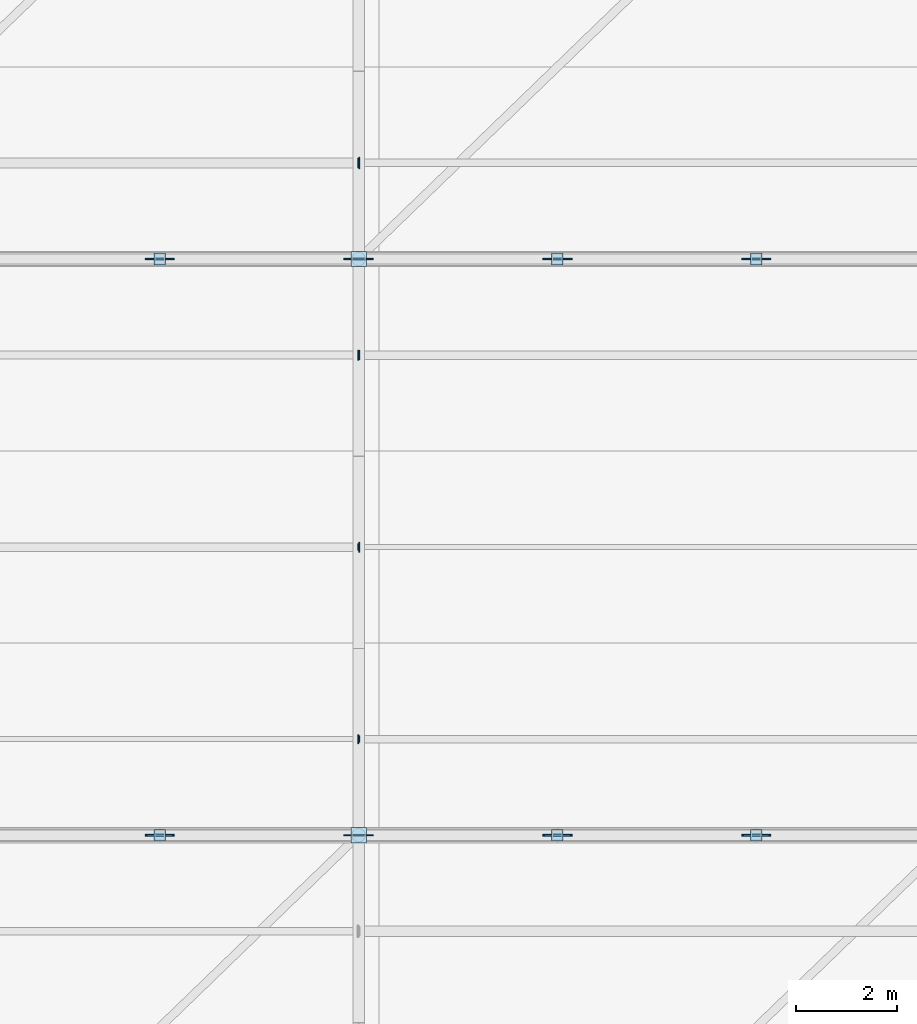
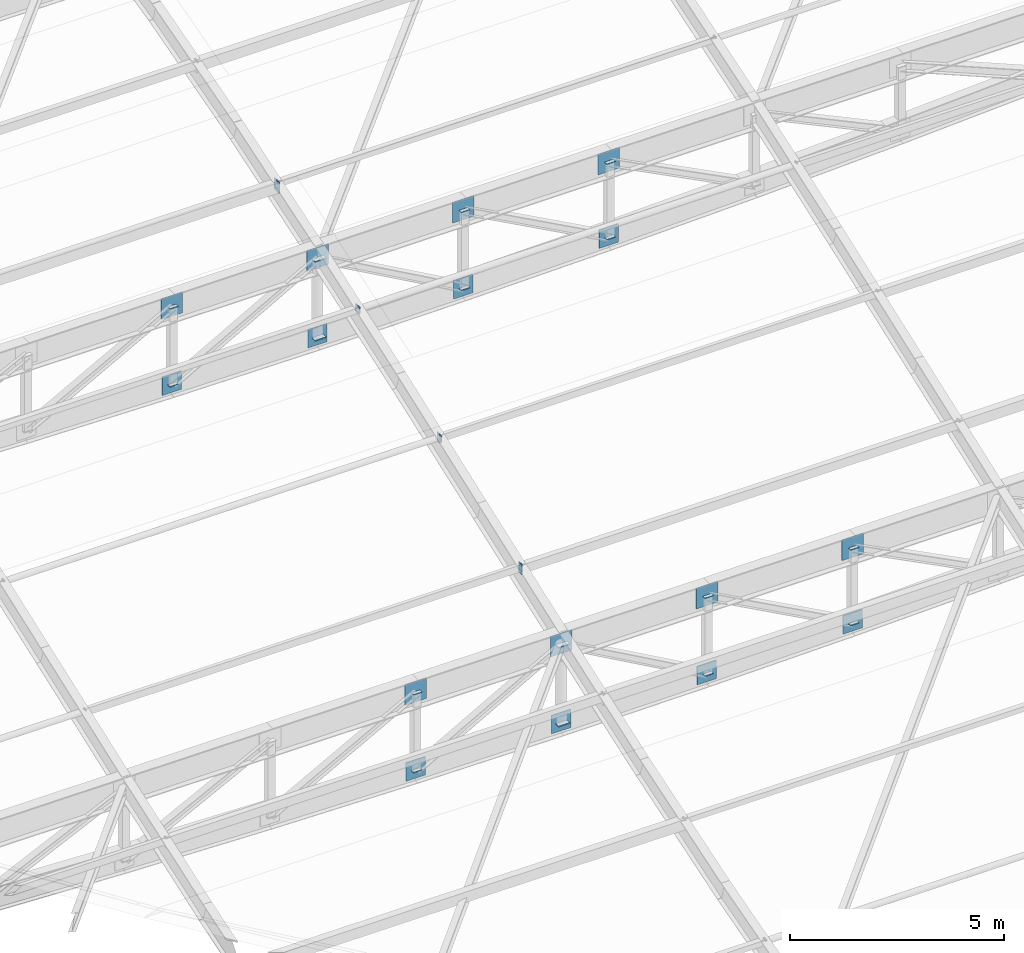
# One storey, part 55 of 65: 40 plates.
"""IFC4 building model written with IfcOpenShell, lengths in metres."""

from ifc_helpers import new_model, si_unit, direction, frame, origin, origin_2d, place, context, subcontext, project, spatial, rectangle, extrude, material, layer, layer_set, type_object, element, save


model = new_model("IFC4")

# Units and contexts
model_context = context("Model", 3, precision=1e-05, world=origin(), true_north=direction((0.0, 1.0)))
body_context = subcontext(model_context, "Body", "Model", "MODEL_VIEW")
ifc_project = project(units=[si_unit("LENGTHUNIT", "METRE"), si_unit("AREAUNIT", "SQUARE_METRE"), si_unit("VOLUMEUNIT", "CUBIC_METRE"), si_unit("PLANEANGLEUNIT", "RADIAN"), si_unit("MASSUNIT", "GRAM", prefix="KILO"), si_unit("POWERUNIT", "WATT"), si_unit("THERMODYNAMICTEMPERATUREUNIT", "KELVIN")], contexts=[model_context])

# Site, building, storey
site_placement = place(None, origin())
site = spatial("IfcSite", under=ifc_project, at=site_placement, CompositionType="ELEMENT")
building_placement = place(site_placement, origin())
building = spatial("IfcBuilding", under=site, at=building_placement, Name="Kelmbourne Parkland Aquatics Centre", CompositionType="ELEMENT")
storey_placement = place(building_placement, frame((0.0, 0.0, 27.0)))
storey = spatial("IfcBuildingStorey", under=building, at=storey_placement, Name="RF", CompositionType="ELEMENT", Elevation=27.0)

# Plates
ifc_material = material(Name="Welded plate steel AS/NZS 3678 Grade 350", Category="steel")
ifc_layer_1 = layer(ifc_material, 0.02001953125)
ifc_layer_set_1 = layer_set([ifc_layer_1], Name="Welded plate steel AS/NZS 3678 Grade 350")
plate_type_1 = type_object("IfcPlateType", Name="PL-CAP-20", PredefinedType="USERDEFINED", material=ifc_layer_set_1)
for number, where, z_axis, x_axis, name in (
    (1, (147.666748046875, 80.60009765625, -9.530517578125), (0.0, 0.0, 1.0), (1.0, 0.0, 0.0), "Hollow end cap plate CAP-0207"),
    (2, (147.666748046875, 80.60009765625, -7.30615234375), (0.0, 0.0, 1.0), (1.0, 0.0, 0.0), "Hollow end cap plate CAP-0208"),
    (3, (155.533203125, 80.60009765625, -9.530517578125), (0.0, 0.0, 1.0), (1.0, 0.0, 0.0), "Hollow end cap plate CAP-0211"),
    (4, (155.533203125, 80.60009765625, -7.30615234375), (0.0, 0.0, 1.0), (1.0, 0.0, 0.0), "Hollow end cap plate CAP-0212"),
    (5, (159.466796875, 80.60009765625, -9.459716796875), (0.0, 0.0, 1.0), (1.0, 0.0, 0.0), "Hollow end cap plate CAP-0213"),
    (6, (159.466796875, 80.60009765625, -7.30615234375), (0.0, 0.0, 1.0), (1.0, 0.0, 0.0), "Hollow end cap plate CAP-0214"),
    (7, (147.666748046875, 92.0, -5.42822265625), (0.0, 0.0, 1.0), (1.0, 0.0, 0.0), "Hollow end cap plate CAP-0233"),
    (8, (147.666748046875, 92.0, -3.203857421875), (0.0, 0.0, 1.0), (1.0, 0.0, 0.0), "Hollow end cap plate CAP-0234"),
    (9, (155.533203125, 92.0, -5.42822265625), (0.0, 0.0, 1.0), (1.0, 0.0, 0.0), "Hollow end cap plate CAP-0237"),
    (10, (155.533203125, 92.0, -3.203857421875), (0.0, 0.0, 1.0), (1.0, 0.0, 0.0), "Hollow end cap plate CAP-0238"),
    (11, (159.466796875, 92.0, -5.357421875), (0.0, 0.0, 1.0), (1.0, 0.0, 0.0), "Hollow end cap plate CAP-0239"),
    (12, (159.466796875, 92.0, -3.203857421875), (0.0, 0.0, 1.0), (1.0, 0.0, 0.0), "Hollow end cap plate CAP-0240"),
):
    element("IfcPlate", number, at=place(storey_placement, frame(where, z_axis=z_axis, x_axis=x_axis)), inside=storey, type_object=plate_type_1, Name=name, ObjectType="END CAP PLATE", PredefinedType="USERDEFINED", context=body_context, shape_type="SweptSolid", body=[
        extrude(rectangle(XDim=0.22998046875, YDim=0.22998046875, at=origin_2d()), origin(), (0.0, 0.0, 1.0), 0.02001953125),
    ])
plate_1_placement = place(storey_placement, frame((151.60888671875, 82.5, -6.397705078125), z_axis=(0.0, 0.0, 1.0), x_axis=(1.0, 0.0, 0.0)))
element("IfcPlate", 13, at=plate_1_placement, inside=storey, type_object=plate_type_1, Name="Hollow end cap plate CAP-0472", ObjectType="END CAP PLATE", PredefinedType="USERDEFINED", context=body_context, shape_type="SweptSolid", body=[
    extrude(rectangle(XDim=0.02001953125, YDim=0.1298828125, at=origin_2d()), origin(), (0.0, 0.0, 1.0), 0.22998046875),
])
plate_2_placement = place(storey_placement, frame((151.591064453125, 82.5, -6.44775390625), z_axis=(0.0, 0.0, 1.0), x_axis=(-1.0, 0.0, 0.0)))
element("IfcPlate", 14, at=plate_2_placement, inside=storey, type_object=plate_type_1, Name="Hollow end cap plate CAP-0473", ObjectType="END CAP PLATE", PredefinedType="USERDEFINED", context=body_context, shape_type="SweptSolid", body=[
    extrude(rectangle(XDim=0.02001953125, YDim=0.179931640625, at=origin_2d()), origin(), (0.0, 0.0, 1.0), 0.280029296875),
])
plate_3_placement = place(storey_placement, frame((151.60888671875, 86.300048828125, -4.980712890625), z_axis=(0.0, 0.0, 1.0), x_axis=(1.0, 0.0, 0.0)))
element("IfcPlate", 15, at=plate_3_placement, inside=storey, type_object=plate_type_1, Name="Hollow end cap plate CAP-0480", ObjectType="END CAP PLATE", PredefinedType="USERDEFINED", context=body_context, shape_type="SweptSolid", body=[
    extrude(rectangle(XDim=0.02001953125, YDim=0.1982421875, at=origin_2d()), origin(), (0.0, 0.0, 1.0), 0.1982421875),
])
plate_4_placement = place(storey_placement, frame((151.591064453125, 86.300048828125, -5.012451171875), z_axis=(0.0, 0.0, 1.0), x_axis=(-1.0, 0.0, 0.0)))
element("IfcPlate", 16, at=plate_4_placement, inside=storey, type_object=plate_type_1, Name="Hollow end cap plate CAP-0481", ObjectType="END CAP PLATE", PredefinedType="USERDEFINED", context=body_context, shape_type="SweptSolid", body=[
    extrude(rectangle(XDim=0.02001953125, YDim=0.1298828125, at=origin_2d()), origin(), (0.0, 0.0, 1.0), 0.22998046875),
])
plate_5_placement = place(storey_placement, frame((151.60888671875, 90.10009765625, -3.60400390625), z_axis=(0.0, 0.0, 1.0), x_axis=(1.0, 0.0, 0.0)))
element("IfcPlate", 17, at=plate_5_placement, inside=storey, type_object=plate_type_1, Name="Hollow end cap plate CAP-0488", ObjectType="END CAP PLATE", PredefinedType="USERDEFINED", context=body_context, shape_type="SweptSolid", body=[
    extrude(rectangle(XDim=0.02001953125, YDim=0.179931640625, at=origin_2d()), origin(), (0.0, 0.0, 1.0), 0.179931640625),
])
plate_6_placement = place(storey_placement, frame((151.591064453125, 90.10009765625, -3.622314453125), z_axis=(0.0, 0.0, 1.0), x_axis=(-1.0, 0.0, 0.0)))
element("IfcPlate", 18, at=plate_6_placement, inside=storey, type_object=plate_type_1, Name="Hollow end cap plate CAP-0489", ObjectType="END CAP PLATE", PredefinedType="USERDEFINED", context=body_context, shape_type="SweptSolid", body=[
    extrude(rectangle(XDim=0.02001953125, YDim=0.1982421875, at=origin_2d()), origin(), (0.0, 0.0, 1.0), 0.1982421875),
])
plate_7_placement = place(storey_placement, frame((151.591064453125, 93.89990234375, -2.32421875), z_axis=(0.0, 0.0, 1.0), x_axis=(-1.0, 0.0, 0.0)))
element("IfcPlate", 19, at=plate_7_placement, inside=storey, type_object=plate_type_1, Name="Hollow end cap plate CAP-0497", ObjectType="END CAP PLATE", PredefinedType="USERDEFINED", context=body_context, shape_type="SweptSolid", body=[
    extrude(rectangle(XDim=0.02001953125, YDim=0.179931640625, at=origin_2d()), origin(), (0.0, 0.0, 1.0), 0.179931640625),
])
ifc_layer_2 = layer(ifc_material, 0.02392578125)
ifc_layer_set_2 = layer_set([ifc_layer_2], Name="Welded plate steel AS/NZS 3678 Grade 350")
plate_type_2 = type_object("IfcPlateType", Name="PL-CAP-24", PredefinedType="USERDEFINED", material=ifc_layer_set_2)
for number, where, z_axis, x_axis, name in (
    (20, (151.60009765625, 80.60009765625, -9.55810546875), (0.0, 0.0, 1.0), (1.0, 0.0, 0.0), "Hollow end cap plate CAP-0209"),
    (21, (151.60009765625, 80.60009765625, -7.30615234375), (0.0, 0.0, 1.0), (1.0, 0.0, 0.0), "Hollow end cap plate CAP-0210"),
    (22, (151.60009765625, 92.0, -5.455810546875), (0.0, 0.0, 1.0), (1.0, 0.0, 0.0), "Hollow end cap plate CAP-0235"),
    (23, (151.60009765625, 92.0, -3.203857421875), (0.0, 0.0, 1.0), (1.0, 0.0, 0.0), "Hollow end cap plate CAP-0236"),
):
    element("IfcPlate", number, at=place(storey_placement, frame(where, z_axis=z_axis, x_axis=x_axis)), inside=storey, type_object=plate_type_2, Name=name, ObjectType="END CAP PLATE", PredefinedType="USERDEFINED", context=body_context, shape_type="SweptSolid", body=[
        extrude(rectangle(XDim=0.302978515625, YDim=0.302978515625, at=origin_2d()), origin(), (0.0, 0.0, 1.0), 0.02392578125),
    ])
plate_8_placement = place(storey_placement, frame((151.611083984375, 93.89990234375, -2.47412109375), z_axis=(0.0, 0.0, 1.0), x_axis=(1.0, 0.0, 0.0)))
element("IfcPlate", 24, at=plate_8_placement, inside=storey, type_object=plate_type_2, Name="Hollow end cap plate CAP-0496", ObjectType="END CAP PLATE", PredefinedType="USERDEFINED", context=body_context, shape_type="SweptSolid", body=[
    extrude(rectangle(XDim=0.02392578125, YDim=0.22998046875, at=origin_2d()), origin(), (0.0, 0.0, 1.0), 0.330078125),
])
ifc_layer_3 = layer(ifc_material, 0.02490234375)
ifc_layer_set_3 = layer_set([ifc_layer_3], Name="Welded plate steel AS/NZS 3678 Grade 350")
plate_type_3 = type_object("IfcPlateType", Name="PL-GUS-2", PredefinedType="USERDEFINED", material=ifc_layer_set_3)
plate_9_placement = place(storey_placement, frame((151.60009765625, 80.60009765625, -7.59521484375), z_axis=(0.0, 0.0, 1.0), x_axis=(1.0, 0.0, 0.0)))
element("IfcPlate", 25, at=plate_9_placement, inside=storey, type_object=plate_type_3, Name="Truss top node TN-2 gusset plate R07-N6", ObjectType="GUSSET PLATE", PredefinedType="USERDEFINED", context=body_context, shape_type="SweptSolid", body=[
    extrude(rectangle(XDim=0.580078125, YDim=0.02490234375, at=origin_2d()), origin(), (0.0, 0.0, 1.0), 0.580078125),
])
plate_10_placement = place(storey_placement, frame((151.60009765625, 80.60009765625, -9.795166015625), z_axis=(0.0, 0.0, 1.0), x_axis=(1.0, 0.0, 0.0)))
element("IfcPlate", 26, at=plate_10_placement, inside=storey, type_object=plate_type_3, Name="Truss bottom node TN-2 gusset plate R07-B6", ObjectType="GUSSET PLATE", PredefinedType="USERDEFINED", context=body_context, shape_type="SweptSolid", body=[
    extrude(rectangle(XDim=0.52001953125, YDim=0.02490234375, at=origin_2d()), origin(), (0.0, 0.0, 1.0), 0.52001953125),
])
plate_11_placement = place(storey_placement, frame((151.60009765625, 92.0, -3.492919921875), z_axis=(0.0, 0.0, 1.0), x_axis=(1.0, 0.0, 0.0)))
element("IfcPlate", 27, at=plate_11_placement, inside=storey, type_object=plate_type_3, Name="Truss top node TN-2 gusset plate R08-N6", ObjectType="GUSSET PLATE", PredefinedType="USERDEFINED", context=body_context, shape_type="SweptSolid", body=[
    extrude(rectangle(XDim=0.580078125, YDim=0.02490234375, at=origin_2d()), origin(), (0.0, 0.0, 1.0), 0.580078125),
])
plate_12_placement = place(storey_placement, frame((151.60009765625, 92.0, -5.69287109375), z_axis=(0.0, 0.0, 1.0), x_axis=(1.0, 0.0, 0.0)))
element("IfcPlate", 28, at=plate_12_placement, inside=storey, type_object=plate_type_3, Name="Truss bottom node TN-2 gusset plate R08-B6", ObjectType="GUSSET PLATE", PredefinedType="USERDEFINED", context=body_context, shape_type="SweptSolid", body=[
    extrude(rectangle(XDim=0.52001953125, YDim=0.02490234375, at=origin_2d()), origin(), (0.0, 0.0, 1.0), 0.52001953125),
])
ifc_layer_4 = layer(ifc_material, 0.031982421875)
ifc_layer_set_4 = layer_set([ifc_layer_4], Name="Welded plate steel AS/NZS 3678 Grade 350")
plate_type_4 = type_object("IfcPlateType", Name="PL-GUS-3", PredefinedType="USERDEFINED", material=ifc_layer_set_4)
plate_13_placement = place(storey_placement, frame((147.666748046875, 80.60009765625, -7.59521484375), z_axis=(0.0, 0.0, 1.0), x_axis=(1.0, 0.0, 0.0)))
element("IfcPlate", 29, at=plate_13_placement, inside=storey, type_object=plate_type_4, Name="Truss top node TN-3 gusset plate R07-N5", ObjectType="GUSSET PLATE", PredefinedType="USERDEFINED", context=body_context, shape_type="SweptSolid", body=[
    extrude(rectangle(XDim=0.580078125, YDim=0.031982421875, at=origin_2d()), origin(), (0.0, 0.0, 1.0), 0.580078125),
])
plate_14_placement = place(storey_placement, frame((147.666748046875, 80.60009765625, -9.771484375), z_axis=(0.0, 0.0, 1.0), x_axis=(1.0, 0.0, 0.0)))
element("IfcPlate", 30, at=plate_14_placement, inside=storey, type_object=plate_type_4, Name="Truss bottom node TN-3 gusset plate R07-B5", ObjectType="GUSSET PLATE", PredefinedType="USERDEFINED", context=body_context, shape_type="SweptSolid", body=[
    extrude(rectangle(XDim=0.52001953125, YDim=0.031982421875, at=origin_2d()), origin(), (0.0, 0.0, 1.0), 0.52001953125),
])
plate_15_placement = place(storey_placement, frame((155.533203125, 80.60009765625, -7.59521484375), z_axis=(0.0, 0.0, 1.0), x_axis=(1.0, 0.0, 0.0)))
element("IfcPlate", 31, at=plate_15_placement, inside=storey, type_object=plate_type_4, Name="Truss top node TN-3 gusset plate R07-N7", ObjectType="GUSSET PLATE", PredefinedType="USERDEFINED", context=body_context, shape_type="SweptSolid", body=[
    extrude(rectangle(XDim=0.580078125, YDim=0.031982421875, at=origin_2d()), origin(), (0.0, 0.0, 1.0), 0.580078125),
])
plate_16_placement = place(storey_placement, frame((155.533203125, 80.60009765625, -9.771484375), z_axis=(0.0, 0.0, 1.0), x_axis=(1.0, 0.0, 0.0)))
element("IfcPlate", 32, at=plate_16_placement, inside=storey, type_object=plate_type_4, Name="Truss bottom node TN-3 gusset plate R07-B7", ObjectType="GUSSET PLATE", PredefinedType="USERDEFINED", context=body_context, shape_type="SweptSolid", body=[
    extrude(rectangle(XDim=0.52001953125, YDim=0.031982421875, at=origin_2d()), origin(), (0.0, 0.0, 1.0), 0.52001953125),
])
plate_17_placement = place(storey_placement, frame((159.466796875, 80.60009765625, -7.59521484375), z_axis=(0.0, 0.0, 1.0), x_axis=(1.0, 0.0, 0.0)))
element("IfcPlate", 33, at=plate_17_placement, inside=storey, type_object=plate_type_4, Name="Truss top node TN-3 gusset plate R07-N8", ObjectType="GUSSET PLATE", PredefinedType="USERDEFINED", context=body_context, shape_type="SweptSolid", body=[
    extrude(rectangle(XDim=0.580078125, YDim=0.031982421875, at=origin_2d()), origin(), (0.0, 0.0, 1.0), 0.580078125),
])
plate_18_placement = place(storey_placement, frame((159.466796875, 80.60009765625, -9.70068359375), z_axis=(0.0, 0.0, 1.0), x_axis=(1.0, 0.0, 0.0)))
element("IfcPlate", 34, at=plate_18_placement, inside=storey, type_object=plate_type_4, Name="Truss bottom node TN-3 gusset plate R07-B8", ObjectType="GUSSET PLATE", PredefinedType="USERDEFINED", context=body_context, shape_type="SweptSolid", body=[
    extrude(rectangle(XDim=0.52001953125, YDim=0.031982421875, at=origin_2d()), origin(), (0.0, 0.0, 1.0), 0.52001953125),
])
plate_19_placement = place(storey_placement, frame((147.666748046875, 92.0, -3.492919921875), z_axis=(0.0, 0.0, 1.0), x_axis=(1.0, 0.0, 0.0)))
element("IfcPlate", 35, at=plate_19_placement, inside=storey, type_object=plate_type_4, Name="Truss top node TN-3 gusset plate R08-N5", ObjectType="GUSSET PLATE", PredefinedType="USERDEFINED", context=body_context, shape_type="SweptSolid", body=[
    extrude(rectangle(XDim=0.580078125, YDim=0.031982421875, at=origin_2d()), origin(), (0.0, 0.0, 1.0), 0.580078125),
])
plate_20_placement = place(storey_placement, frame((147.666748046875, 92.0, -5.669189453125), z_axis=(0.0, 0.0, 1.0), x_axis=(1.0, 0.0, 0.0)))
element("IfcPlate", 36, at=plate_20_placement, inside=storey, type_object=plate_type_4, Name="Truss bottom node TN-3 gusset plate R08-B5", ObjectType="GUSSET PLATE", PredefinedType="USERDEFINED", context=body_context, shape_type="SweptSolid", body=[
    extrude(rectangle(XDim=0.52001953125, YDim=0.031982421875, at=origin_2d()), origin(), (0.0, 0.0, 1.0), 0.52001953125),
])
plate_21_placement = place(storey_placement, frame((155.533203125, 92.0, -3.492919921875), z_axis=(0.0, 0.0, 1.0), x_axis=(1.0, 0.0, 0.0)))
element("IfcPlate", 37, at=plate_21_placement, inside=storey, type_object=plate_type_4, Name="Truss top node TN-3 gusset plate R08-N7", ObjectType="GUSSET PLATE", PredefinedType="USERDEFINED", context=body_context, shape_type="SweptSolid", body=[
    extrude(rectangle(XDim=0.580078125, YDim=0.031982421875, at=origin_2d()), origin(), (0.0, 0.0, 1.0), 0.580078125),
])
plate_22_placement = place(storey_placement, frame((155.533203125, 92.0, -5.669189453125), z_axis=(0.0, 0.0, 1.0), x_axis=(1.0, 0.0, 0.0)))
element("IfcPlate", 38, at=plate_22_placement, inside=storey, type_object=plate_type_4, Name="Truss bottom node TN-3 gusset plate R08-B7", ObjectType="GUSSET PLATE", PredefinedType="USERDEFINED", context=body_context, shape_type="SweptSolid", body=[
    extrude(rectangle(XDim=0.52001953125, YDim=0.031982421875, at=origin_2d()), origin(), (0.0, 0.0, 1.0), 0.52001953125),
])
plate_23_placement = place(storey_placement, frame((159.466796875, 92.0, -3.492919921875), z_axis=(0.0, 0.0, 1.0), x_axis=(1.0, 0.0, 0.0)))
element("IfcPlate", 39, at=plate_23_placement, inside=storey, type_object=plate_type_4, Name="Truss top node TN-3 gusset plate R08-N8", ObjectType="GUSSET PLATE", PredefinedType="USERDEFINED", context=body_context, shape_type="SweptSolid", body=[
    extrude(rectangle(XDim=0.580078125, YDim=0.031982421875, at=origin_2d()), origin(), (0.0, 0.0, 1.0), 0.580078125),
])
plate_24_placement = place(storey_placement, frame((159.466796875, 92.0, -5.598388671875), z_axis=(0.0, 0.0, 1.0), x_axis=(1.0, 0.0, 0.0)))
element("IfcPlate", 40, at=plate_24_placement, inside=storey, type_object=plate_type_4, Name="Truss bottom node TN-3 gusset plate R08-B8", ObjectType="GUSSET PLATE", PredefinedType="USERDEFINED", context=body_context, shape_type="SweptSolid", body=[
    extrude(rectangle(XDim=0.52001953125, YDim=0.031982421875, at=origin_2d()), origin(), (0.0, 0.0, 1.0), 0.52001953125),
])

save(model, "model.ifc")
